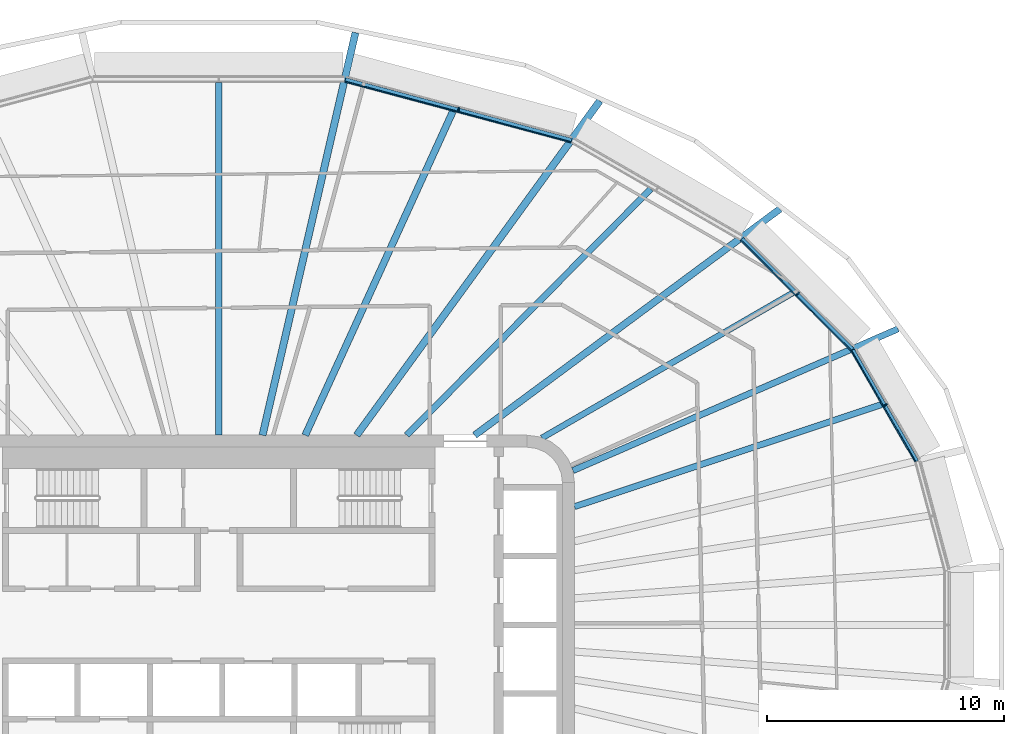
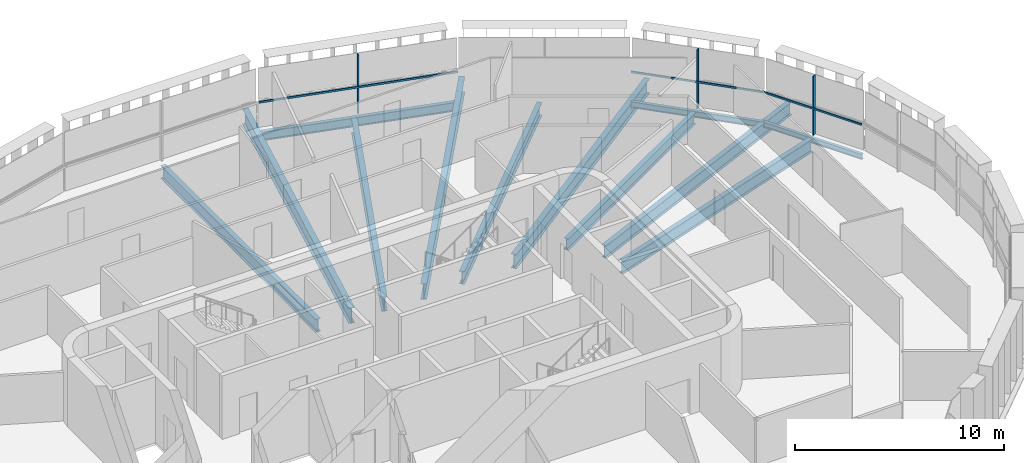
# One storey, part 6 of 22: 12 beams, 6 members, 3 elements without a shape of their own.
"""IFC4 building model written with IfcOpenShell, lengths in metres."""

from ifc_helpers import new_model, si_unit, direction, frame, origin, origin_2d, place, context, subcontext, project, spatial, rectangle, i_section, extrude, material, layer, layer_set, material_profile, profile_set, type_object, element, aggregate, save


model = new_model("IFC4")

# Units and contexts
model_context = context("Model", 3, precision=1e-05, world=origin(), true_north=direction((0.0, 1.0)))
body_context = subcontext(model_context, "Body", "Model", "MODEL_VIEW")
ifc_project = project(units=[si_unit("LENGTHUNIT", "METRE"), si_unit("AREAUNIT", "SQUARE_METRE"), si_unit("VOLUMEUNIT", "CUBIC_METRE"), si_unit("PLANEANGLEUNIT", "RADIAN"), si_unit("MASSUNIT", "GRAM", prefix="KILO")], contexts=[model_context])

# Site, building, storey
site_placement = place(None, origin())
site = spatial("IfcSite", under=ifc_project, at=site_placement, CompositionType="ELEMENT")
building_placement = place(site_placement, origin())
building = spatial("IfcBuilding", under=site, at=building_placement, Name="Sahrelin Media Tower", CompositionType="ELEMENT")
storey_placement = place(building_placement, frame((0.0, 0.0, 189.60009765625)))
storey = spatial("IfcBuildingStorey", under=building, at=storey_placement, Name="L40", CompositionType="ELEMENT", Elevation=189.60009765625)

# Beams
ifc_material_1 = material(Name="Steel S355", Category="steel")
ifc_material_profile_1 = material_profile(ifc_material_1, i_section(OverallWidth=0.1650390625, OverallDepth=0.303466796875, WebThickness=0.006103515625, FlangeThickness=0.01025390625, FilletRadius=0.0087890625, at=origin_2d()), Name="UB 305x165x40")
ifc_profile_set_1 = profile_set([ifc_material_profile_1], Name="Steel S355")
beam_type_1 = type_object("IfcBeamType", Name="Edge beam EB2", PredefinedType="BEAM", material=ifc_profile_set_1)
beam_1_placement = place(storey_placement, frame((26.728759765625, 11.5927734375, -0.3017578125), z_axis=(0.500016705875, -0.866015758428, 0.0), x_axis=(0.866015758428, 0.500016705875, 0.0)))
element("IfcBeam", 1, at=beam_1_placement, inside=storey, type_object=beam_type_1, Name="Edge beam L40-23", PredefinedType="BEAM", context=body_context, shape_type="SweptSolid", body=[
    extrude(i_section(OverallWidth=0.1650390625, OverallDepth=0.303466796875, WebThickness=0.006103515625, FlangeThickness=0.01025390625, FilletRadius=0.0087890625, at=origin_2d()), origin(), (0.0, 0.0, 1.0), 5.410400390625),
])
ifc_material_profile_2 = material_profile(ifc_material_1, i_section(OverallWidth=0.17138671875, OverallDepth=0.35498046875, WebThickness=0.00732421875, FlangeThickness=0.011474609375, FilletRadius=0.01025390625, at=origin_2d()), Name="UB 356x171x51")
ifc_profile_set_2 = profile_set([ifc_material_profile_2], Name="Steel S355")
beam_type_2 = type_object("IfcBeamType", Name="Edge beam EB3", PredefinedType="BEAM", material=ifc_profile_set_2)
beam_2_placement = place(storey_placement, frame((22.05224609375, 16.27490234375, -0.32763671875), z_axis=(0.70708825429, -0.707125307597, 0.0), x_axis=(0.707125307597, 0.70708825429, 0.0)))
element("IfcBeam", 2, at=beam_2_placement, inside=storey, type_object=beam_type_2, Name="Edge beam L40-22", PredefinedType="BEAM", context=body_context, shape_type="SweptSolid", body=[
    extrude(i_section(OverallWidth=0.17138671875, OverallDepth=0.35498046875, WebThickness=0.00732421875, FlangeThickness=0.011474609375, FilletRadius=0.01025390625, at=origin_2d()), origin(), (0.0, 0.0, 1.0), 6.5888671875),
])
ifc_material_profile_3 = material_profile(ifc_material_1, i_section(OverallWidth=0.208740234375, OverallDepth=0.5283203125, WebThickness=0.009521484375, FlangeThickness=0.01318359375, FilletRadius=0.0126953125, at=origin_2d()), Name="UB 533x210x82")
ifc_profile_set_3 = profile_set([ifc_material_profile_3], Name="Steel S355")
beam_type_3 = type_object("IfcBeamType", Name="Edge beam EB6", PredefinedType="BEAM", material=ifc_profile_set_3)
beam_3_placement = place(storey_placement, frame((5.333984375, 22.97509765625, -0.414306640625), z_axis=(0.965928634298, -0.258808565244, 0.0), x_axis=(0.258808565244, 0.965928634298, 0.0)))
element("IfcBeam", 3, at=beam_3_placement, inside=storey, type_object=beam_type_3, Name="Edge beam L40-20", PredefinedType="BEAM", context=body_context, shape_type="SweptSolid", body=[
    extrude(i_section(OverallWidth=0.208740234375, OverallDepth=0.5283203125, WebThickness=0.009521484375, FlangeThickness=0.01318359375, FilletRadius=0.0126953125, at=origin_2d()), origin(), (0.0, 0.0, 1.0), 9.87744140625),
])

# Curtain wall, member
ifc_material_2 = material(Name="Champagne anodised aluminium 6063-T6", Category="aluminium")
ifc_layer = layer(ifc_material_2, 0.14990234375)
ifc_layer_set = layer_set([ifc_layer], Name="Tower ribbon curtain wall")
curtain_wall_type = type_object("IfcCurtainWallType", Name="Tower ribbon curtain wall", PredefinedType="NOTDEFINED", material=ifc_layer_set)
curtain_wall_1_placement = place(storey_placement, frame((28.211181640625, 9.324951171875, 0.0), z_axis=(0.0, 0.0, 1.0), x_axis=(1.0, 0.0, 0.0)))
curtain_wall_1 = element("IfcCurtainWall", 4, at=curtain_wall_1_placement, inside=storey, type_object=curtain_wall_type, Name="L40:CW:L40-02", PredefinedType="NOTDEFINED")
ifc_material_profile_4 = material_profile(ifc_material_2, rectangle(XDim=0.06005859375, YDim=0.175048828125, at=origin_2d()), Name="Mullion 60x175")
ifc_profile_set_4 = profile_set([ifc_material_profile_4], Name="Champagne anodised aluminium 6063-T6")
member_type_1 = type_object("IfcMemberType", Name="Mullion 60x175 CW1B", PredefinedType="MULLION", material=ifc_profile_set_4)
member_1_placement = place(storey_placement, frame((28.118408203125, 9.271240234375, 0.0), z_axis=(0.0, 0.0, 1.0), x_axis=(-0.499996976998, 0.866027149108, 0.0)))
member_1 = element("IfcMember", 5, at=member_1_placement, type_object=member_type_1, Name="L40:CWM:L40-02", PredefinedType="MULLION", context=body_context, shape_type="SweptSolid", body=[
    extrude(rectangle(XDim=0.06005859375, YDim=0.175048828125, at=origin_2d()), origin(), (0.0, 0.0, 1.0), 3.448486328125),
])

curtain_wall_2_placement = place(storey_placement, frame((24.48779296875, 14.05126953125, 0.0), z_axis=(0.0, 0.0, 1.0), x_axis=(1.0, 0.0, 0.0)))
curtain_wall_2 = element("IfcCurtainWall", 6, at=curtain_wall_2_placement, inside=storey, type_object=curtain_wall_type, Name="L40:CW:L40-03", PredefinedType="NOTDEFINED")
member_2_placement = place(storey_placement, frame((24.411865234375, 13.975341796875, 0.0), z_axis=(0.0, 0.0, 1.0), x_axis=(-0.707106781187, 0.707106781187, 0.0)))
member_2 = element("IfcMember", 7, at=member_2_placement, type_object=member_type_1, Name="L40:CWM:L40-03", PredefinedType="MULLION", context=body_context, shape_type="SweptSolid", body=[
    extrude(rectangle(XDim=0.06005859375, YDim=0.175048828125, at=origin_2d()), origin(), (0.0, 0.0, 1.0), 3.448486328125),
])

curtain_wall_3_placement = place(storey_placement, frame((10.143310546875, 21.841796875, 0.0), z_axis=(0.0, 0.0, 1.0), x_axis=(1.0, 0.0, 0.0)))
curtain_wall_3 = element("IfcCurtainWall", 8, at=curtain_wall_3_placement, inside=storey, type_object=curtain_wall_type, Name="L40:CW:L40-05", PredefinedType="NOTDEFINED")
member_3_placement = place(storey_placement, frame((10.115478515625, 21.73779296875, 0.0), z_axis=(0.0, 0.0, 1.0), x_axis=(-0.965924922834, 0.258822416818, 0.0)))
member_3 = element("IfcMember", 9, at=member_3_placement, type_object=member_type_1, Name="L40:CWM:L40-05", PredefinedType="MULLION", context=body_context, shape_type="SweptSolid", body=[
    extrude(rectangle(XDim=0.06005859375, YDim=0.175048828125, at=origin_2d()), origin(), (0.0, 0.0, 1.0), 3.448486328125),
])

# Beams
ifc_material_profile_5 = material_profile(ifc_material_1, i_section(OverallWidth=0.291748046875, OverallDepth=0.8349609375, WebThickness=0.013916015625, FlangeThickness=0.018798828125, FilletRadius=0.017822265625, at=origin_2d()), Name="UB 838x292x176")
ifc_profile_set_5 = profile_set([ifc_material_profile_5], Name="Steel S355")
beam_type_4 = type_object("IfcBeamType", Name="Radial primary beam PB10", PredefinedType="BEAM", material=ifc_profile_set_5)
beam_4_placement = place(storey_placement, frame((10.793701171875, 8.0, -0.567626953125), z_axis=(0.803389813403, 0.595453447148, 0.0), x_axis=(-0.595453447148, 0.803389813403, 0.0)))
element("IfcBeam", 10, at=beam_4_placement, inside=storey, type_object=beam_type_4, Name="Radial beam L40-04", PredefinedType="BEAM", context=body_context, shape_type="SweptSolid", body=[
    extrude(i_section(OverallWidth=0.291748046875, OverallDepth=0.8349609375, WebThickness=0.013916015625, FlangeThickness=0.018798828125, FilletRadius=0.017822265625, at=origin_2d()), origin(), (0.0, 0.0, 1.0), 16.023193359375),
])
ifc_material_profile_6 = material_profile(ifc_material_1, i_section(OverallWidth=0.30322265625, OverallDepth=0.903076171875, WebThickness=0.01513671875, FlangeThickness=0.020263671875, FilletRadius=0.01904296875, at=origin_2d()), Name="UB 914x305x201")
ifc_profile_set_6 = profile_set([ifc_material_profile_6], Name="Steel S355")
beam_type_5 = type_object("IfcBeamType", Name="Radial primary beam PB11", PredefinedType="BEAM", material=ifc_profile_set_6)
beam_5_placement = place(storey_placement, frame((5.8173828125, 8.0, -0.6015625), z_axis=(0.588130895743, 0.808765756862, 0.0), x_axis=(-0.808765756862, 0.588130895743, 0.0)))
element("IfcBeam", 11, at=beam_5_placement, inside=storey, type_object=beam_type_5, Name="Radial beam L40-05", PredefinedType="BEAM", context=body_context, shape_type="SweptSolid", body=[
    extrude(i_section(OverallWidth=0.30322265625, OverallDepth=0.903076171875, WebThickness=0.01513671875, FlangeThickness=0.020263671875, FilletRadius=0.01904296875, at=origin_2d()), origin(), (0.0, 0.0, 1.0), 17.43359375),
])
beam_6_placement = place(storey_placement, frame((1.846923828125, 8.0, -0.6015625), z_axis=(0.224946489575, 0.974371118634, 0.0), x_axis=(-0.974371118634, 0.224946489575, 0.0)))
element("IfcBeam", 12, at=beam_6_placement, inside=storey, type_object=beam_type_5, Name="Radial beam L40-06", PredefinedType="BEAM", context=body_context, shape_type="SweptSolid", body=[
    extrude(i_section(OverallWidth=0.30322265625, OverallDepth=0.903076171875, WebThickness=0.01513671875, FlangeThickness=0.020263671875, FilletRadius=0.01904296875, at=origin_2d()), origin(), (0.0, 0.0, 1.0), 17.423828125),
])
ifc_material_profile_7 = material_profile(ifc_material_1, i_section(OverallWidth=0.26513671875, OverallDepth=0.75390625, WebThickness=0.0126953125, FlangeThickness=0.017578125, FilletRadius=0.0166015625, at=origin_2d()), Name="UB 762x267x147")
ifc_profile_set_7 = profile_set([ifc_material_profile_7], Name="Steel S355")
beam_type_6 = type_object("IfcBeamType", Name="Radial primary beam PB9", PredefinedType="BEAM", material=ifc_profile_set_7)
beam_7_placement = place(storey_placement, frame((14.93310546875, 6.5078125, -0.527099609375), z_axis=(0.916726625992, 0.399515072555, 0.0), x_axis=(-0.399515072555, 0.916726625992, 0.0)))
element("IfcBeam", 13, at=beam_7_placement, inside=storey, type_object=beam_type_6, Name="Radial beam L40-03", PredefinedType="BEAM", context=body_context, shape_type="SweptSolid", body=[
    extrude(i_section(OverallWidth=0.26513671875, OverallDepth=0.75390625, WebThickness=0.0126953125, FlangeThickness=0.017578125, FilletRadius=0.0166015625, at=origin_2d()), origin(), (0.0, 0.0, 1.0), 14.955810546875),
])
ifc_material_profile_8 = material_profile(ifc_material_1, i_section(OverallWidth=0.291748046875, OverallDepth=0.8349609375, WebThickness=0.013916015625, FlangeThickness=0.018798828125, FilletRadius=0.017822265625, at=origin_2d()), Name="UB 838x292x176")
ifc_profile_set_8 = profile_set([ifc_material_profile_8], Name="Steel S355")
beam_type_7 = type_object("IfcBeamType", Name="Radial secondary beam SB10", PredefinedType="BEAM", material=ifc_profile_set_8)
beam_8_placement = place(storey_placement, frame((3.647705078125, 8.0, -0.567626953125), z_axis=(0.414888908569, 0.909872075374, 0.0), x_axis=(-0.909872075374, 0.414888908569, 0.0)))
element("IfcBeam", 14, at=beam_8_placement, inside=storey, type_object=beam_type_7, Name="Secondary beam L40-05", PredefinedType="BEAM", context=body_context, shape_type="SweptSolid", body=[
    extrude(i_section(OverallWidth=0.291748046875, OverallDepth=0.8349609375, WebThickness=0.013916015625, FlangeThickness=0.018798828125, FilletRadius=0.017822265625, at=origin_2d()), origin(), (0.0, 0.0, 1.0), 15.003173828125),
])
ifc_material_profile_9 = material_profile(ifc_material_1, i_section(OverallWidth=0.2529296875, OverallDepth=0.677978515625, WebThickness=0.01171875, FlangeThickness=0.01611328125, FilletRadius=0.01513671875, at=origin_2d()), Name="UB 686x254x125")
ifc_profile_set_9 = profile_set([ifc_material_profile_9], Name="Steel S355")
beam_type_8 = type_object("IfcBeamType", Name="Radial secondary beam SB8", PredefinedType="BEAM", material=ifc_profile_set_9)
beam_9_placement = place(storey_placement, frame((13.63134765625, 7.884765625, -0.489013671875), z_axis=(0.865627368976, 0.500688783658, 0.0), x_axis=(-0.500688783658, 0.865627368976, 0.0)))
element("IfcBeam", 15, at=beam_9_placement, inside=storey, type_object=beam_type_8, Name="Secondary beam L40-03", PredefinedType="BEAM", context=body_context, shape_type="SweptSolid", body=[
    extrude(i_section(OverallWidth=0.2529296875, OverallDepth=0.677978515625, WebThickness=0.01171875, FlangeThickness=0.01611328125, FilletRadius=0.01513671875, at=origin_2d()), origin(), (0.0, 0.0, 1.0), 12.215087890625),
])
ifc_material_profile_10 = material_profile(ifc_material_1, i_section(OverallWidth=0.26513671875, OverallDepth=0.75390625, WebThickness=0.0126953125, FlangeThickness=0.017578125, FilletRadius=0.0166015625, at=origin_2d()), Name="UB 762x267x147")
ifc_profile_set_10 = profile_set([ifc_material_profile_10], Name="Steel S355")
beam_type_9 = type_object("IfcBeamType", Name="Radial secondary beam SB9", PredefinedType="BEAM", material=ifc_profile_set_10)
beam_10_placement = place(storey_placement, frame((15.0, 4.986083984375, -0.527099609375), z_axis=(0.948949304443, 0.315428625204, 0.0), x_axis=(-0.315428625204, 0.948949304443, 0.0)))
element("IfcBeam", 16, at=beam_10_placement, inside=storey, type_object=beam_type_9, Name="Secondary beam L40-02", PredefinedType="BEAM", context=body_context, shape_type="SweptSolid", body=[
    extrude(i_section(OverallWidth=0.26513671875, OverallDepth=0.75390625, WebThickness=0.0126953125, FlangeThickness=0.017578125, FilletRadius=0.0166015625, at=origin_2d()), origin(), (0.0, 0.0, 1.0), 13.657958984375),
])
beam_11_placement = place(storey_placement, frame((7.927490234375, 8.0, -0.527099609375), z_axis=(0.70389286124, 0.710306159269, 0.0), x_axis=(-0.710306159269, 0.70389286124, 0.0)))
element("IfcBeam", 17, at=beam_11_placement, inside=storey, type_object=beam_type_9, Name="Secondary beam L40-04", PredefinedType="BEAM", context=body_context, shape_type="SweptSolid", body=[
    extrude(i_section(OverallWidth=0.26513671875, OverallDepth=0.75390625, WebThickness=0.0126953125, FlangeThickness=0.017578125, FilletRadius=0.0166015625, at=origin_2d()), origin(), (0.0, 0.0, 1.0), 14.6181640625),
])
beam_12_placement = place(storey_placement, frame((0.0, 8.0, -0.527099609375), z_axis=(0.0, 1.0, 0.0), x_axis=(-1.0, 0.0, 0.0)))
element("IfcBeam", 18, at=beam_12_placement, inside=storey, type_object=beam_type_9, Name="Secondary beam L40-06", PredefinedType="BEAM", context=body_context, shape_type="SweptSolid", body=[
    extrude(i_section(OverallWidth=0.26513671875, OverallDepth=0.75390625, WebThickness=0.0126953125, FlangeThickness=0.017578125, FilletRadius=0.0166015625, at=origin_2d()), origin(), (0.0, 0.0, 1.0), 14.864990234375),
])

# Member
ifc_material_profile_11 = material_profile(ifc_material_2, rectangle(XDim=0.050048828125, YDim=0.110107421875, at=origin_2d()), Name="Transom 50x110")
ifc_profile_set_11 = profile_set([ifc_material_profile_11], Name="Champagne anodised aluminium 6063-T6")
member_type_2 = type_object("IfcMemberType", Name="Transom 50x110 CW1B", PredefinedType="USERDEFINED", material=ifc_profile_set_11)
member_4_placement = place(storey_placement, frame((29.365478515625, 6.8857421875, 1.599853515625), z_axis=(-0.499985686398, 0.866033667589, 0.0), x_axis=(-0.866033667589, -0.499985686398, 0.0)))
member_4 = element("IfcMember", 19, at=member_4_placement, type_object=member_type_2, Name="L40:CWT:L40-02", ObjectType="TRANSOM", PredefinedType="USERDEFINED", context=body_context, shape_type="SweptSolid", body=[
    extrude(rectangle(XDim=0.050048828125, YDim=0.110107421875, at=origin_2d()), origin(), (0.0, 0.0, 1.0), 5.379150390625),
])

aggregate(curtain_wall_1, [member_1, member_4])

member_5_placement = place(storey_placement, frame((26.650634765625, 11.577392578125, 1.599853515625), z_axis=(-0.707106781187, 0.707106781187, 0.0), x_axis=(-0.707106781187, -0.707106781187, 0.0)))
member_5 = element("IfcMember", 20, at=member_5_placement, type_object=member_type_2, Name="L40:CWT:L40-03", ObjectType="TRANSOM", PredefinedType="USERDEFINED", context=body_context, shape_type="SweptSolid", body=[
    extrude(rectangle(XDim=0.050048828125, YDim=0.110107421875, at=origin_2d()), origin(), (0.0, 0.0, 1.0), 6.557373046875),
])

aggregate(curtain_wall_2, [member_2, member_5])

member_6_placement = place(storey_placement, frame((14.841796875, 20.35498046875, 1.599853515625), z_axis=(-0.965921045244, 0.258836887547, 0.0), x_axis=(-0.258836887547, -0.965921045244, 0.0)))
member_6 = element("IfcMember", 21, at=member_6_placement, type_object=member_type_2, Name="L40:CWT:L40-05", ObjectType="TRANSOM", PredefinedType="USERDEFINED", context=body_context, shape_type="SweptSolid", body=[
    extrude(rectangle(XDim=0.050048828125, YDim=0.110107421875, at=origin_2d()), origin(), (0.0, 0.0, 1.0), 9.84619140625),
])

aggregate(curtain_wall_3, [member_3, member_6])

save(model, "model.ifc")
